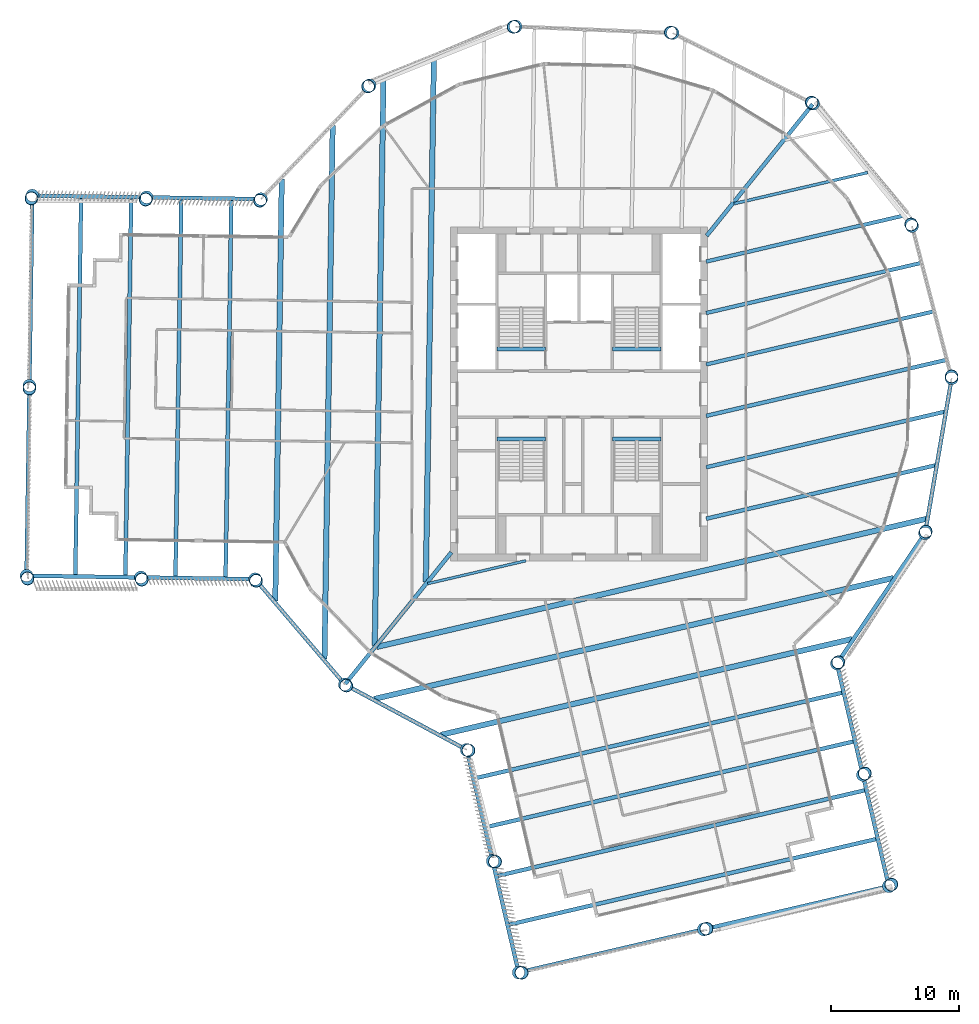
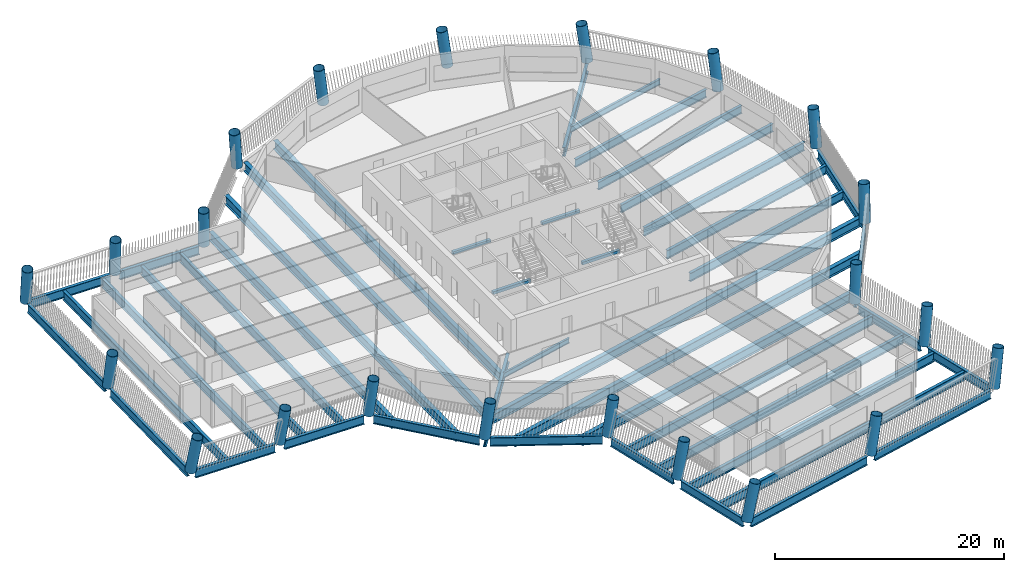
# One storey, part 1 of 15: 45 beams, 22 columns.
"""IFC4 building model written with IfcOpenShell, lengths in metres."""

from ifc_helpers import new_model, si_unit, direction, frame, origin, origin_2d, place, context, subcontext, project, spatial, rectangle, hollow_circle, i_section, extrude, material, material_profile, profile_set, type_object, element, save


model = new_model("IFC4")

# Units and contexts
model_context = context("Model", 3, precision=1e-05, world=origin(), true_north=direction((0.0, 1.0)))
body_context = subcontext(model_context, "Body", "Model", "MODEL_VIEW")
ifc_project = project(units=[si_unit("LENGTHUNIT", "METRE"), si_unit("AREAUNIT", "SQUARE_METRE"), si_unit("VOLUMEUNIT", "CUBIC_METRE"), si_unit("PLANEANGLEUNIT", "RADIAN"), si_unit("MASSUNIT", "GRAM", prefix="KILO")], contexts=[model_context])

# Site, building, storey
site_placement = place(None, origin())
site = spatial("IfcSite", under=ifc_project, at=site_placement, CompositionType="ELEMENT")
building_placement = place(site_placement, origin())
building = spatial("IfcBuilding", under=site, at=building_placement, Name="Tarsis Ring Headquarters", CompositionType="ELEMENT")
storey_placement = place(building_placement, frame((0.0, 0.0, 282.5)))
storey = spatial("IfcBuildingStorey", under=building, at=storey_placement, Name="L66", CompositionType="ELEMENT", Elevation=282.5)

# Columns
ifc_material_1 = material(Name="Structural steel S355", Category="steel")
ifc_material_profile_1 = material_profile(ifc_material_1, hollow_circle(Radius=0.508056640625, WallThickness=0.0400390625, at=origin_2d()), Name="CHS 1016x40")
ifc_profile_set_1 = profile_set([ifc_material_profile_1], Name="Structural steel S355")
column_type = type_object("IfcColumnType", Name="XC Exo column CHS 1016x40", PredefinedType="COLUMN", material=ifc_profile_set_1)
for number, where, z_axis, x_axis, name in (
    (1, (-18.2333984375, -22.61328125, 0.001220703125), (0.101059823827, -0.080065219983, 0.991653403441), (0.620986714474, 0.783821089565, 0.0), "Exo column XC6 F1"),
    (2, (-8.73974609375, -27.70263671875, 0.001220703125), (0.123296706213, -0.037703325275, 0.99165335753), (0.29242659882, 0.95628797143, 0.0), "Exo column XC6 AK"),
):
    element("IfcColumn", number, at=place(storey_placement, frame(where, z_axis=z_axis, x_axis=x_axis)), inside=storey, type_object=column_type, Name=name, PredefinedType="COLUMN", context=body_context, shape_type="SweptSolid", body=[
        extrude(hollow_circle(Radius=0.508056640625, WallThickness=0.0400390625, at=origin_2d()), origin(), (0.0, 0.0, 1.0), 3.930419921875),
    ])
column_1_placement = place(storey_placement, frame((-6.718994140625, -36.372314453125, 0.001220703125), z_axis=(0.160864640622, -0.028304266387, 0.986570542791), x_axis=(0.173288873055, 0.98487104053, 0.0)))
element("IfcColumn", 3, at=column_1_placement, inside=storey, type_object=column_type, Name="Exo column XC6 AI1", PredefinedType="COLUMN", context=body_context, shape_type="SweptSolid", body=[
    extrude(hollow_circle(Radius=0.508056640625, WallThickness=0.0400390625, at=origin_2d()), origin(), (0.0, 0.0, 1.0), 3.950439453125),
])
column_2_placement = place(storey_placement, frame((-4.6982421875, -45.042236328125, 0.00146484375), z_axis=(0.197769271299, -0.018911187693, 0.98006616221), x_axis=(0.095188283201, 0.99545928633, 0.0)))
element("IfcColumn", 4, at=column_2_placement, inside=storey, type_object=column_type, Name="Exo column XC6 AT1", PredefinedType="COLUMN", context=body_context, shape_type="SweptSolid", body=[
    extrude(hollow_circle(Radius=0.508056640625, WallThickness=0.0400390625, at=origin_2d()), origin(), (0.0, 0.0, 1.0), 3.976318359375),
])
column_3_placement = place(storey_placement, frame((9.715576171875, -41.6826171875, 0.00146484375), z_axis=(0.182807168942, 0.044301972951, 0.982150128125), x_axis=(-0.235525125345, 0.971868260276, 0.0)))
element("IfcColumn", 5, at=column_3_placement, inside=storey, type_object=column_type, Name="Exo column XC6 AT2", PredefinedType="COLUMN", context=body_context, shape_type="SweptSolid", body=[
    extrude(hollow_circle(Radius=0.508056640625, WallThickness=0.0400390625, at=origin_2d()), origin(), (0.0, 0.0, 1.0), 3.9677734375),
])
column_4_placement = place(storey_placement, frame((24.129150390625, -38.3232421875, 0.00146484375), z_axis=(0.167132240299, 0.107328124924, 0.980075246016), x_axis=(-0.540351312847, 0.841439515773, 0.0)))
element("IfcColumn", 6, at=column_4_placement, inside=storey, type_object=column_type, Name="Exo column XC6 AT3", PredefinedType="COLUMN", context=body_context, shape_type="SweptSolid", body=[
    extrude(hollow_circle(Radius=0.508056640625, WallThickness=0.0400390625, at=origin_2d()), origin(), (0.0, 0.0, 1.0), 3.976318359375),
])
column_5_placement = place(storey_placement, frame((22.1083984375, -29.6533203125, 0.001220703125), z_axis=(0.130027816038, 0.098756867885, 0.986579874162), x_axis=(-0.60483372339, 0.79635178599, 0.0)))
element("IfcColumn", 7, at=column_5_placement, inside=storey, type_object=column_type, Name="Exo column XC6 AO1", PredefinedType="COLUMN", context=body_context, shape_type="SweptSolid", body=[
    extrude(hollow_circle(Radius=0.508056640625, WallThickness=0.0400390625, at=origin_2d()), origin(), (0.0, 0.0, 1.0), 3.950439453125),
])
for number, where, z_axis, x_axis, name in (
    (8, (20.087646484375, -20.9833984375, 0.001220703125), (0.092302387582, 0.08994203043, 0.991660577218), (-0.69789008467, 0.716204879709, 0.0), "Exo column XC6 AJ"),
    (9, (26.950927734375, -10.838134765625, 0.001220703125), (0.04702072894, 0.120005347836, 0.991659098451), (-0.931079147432, 0.364817243585, 0.0), "Exo column XC6 R1"),
    (10, (29.022216796875, 1.234375, 0.001220703125), (-0.006584160258, 0.128701698629, 0.991661495473), (-0.998693977118, -0.051091487246, 0.0), "Exo column XC6 R2"),
    (11, (25.933349609375, 13.087158203125, 0.001220703125), (-0.059070641665, 0.114600771685, 0.991653831951), (-0.888867549633, -0.458164249161, 0.0), "Exo column XC6 R3"),
    (12, (18.2333984375, 22.61328125, 0.001220703125), (-0.101059823827, 0.080065219983, 0.991653403441), (-0.620986714474, -0.783821089565, 0.0), "Exo column XC6 R4"),
    (13, (7.29150390625, 28.118408203125, 0.001220703125), (-0.125097647138, 0.031305468797, 0.99165041537), (-0.242762287219, -0.970085806465, 0.0), "Exo column XC6 R5"),
    (14, (-4.947021484375, 28.624267578125, 0.001220703125), (-0.126837344867, -0.023106509447, 0.991654363762), (0.179224605318, -0.983808182955, 0.0), "Exo column XC6 R6"),
    (15, (-16.3056640625, 24.040283203125, 0.001220703125), (-0.10609086752, -0.073294627444, 0.991651463679), (0.568408156494, -0.822746721434, 0.0), "Exo column XC6 R7"),
    (16, (-24.765380859375, 15.18212890625, 0.001220703125), (-0.066400227462, -0.110501407535, 0.991655408257), (0.857152632164, -0.515062486669, 0.0), "Exo column XC6 BJ"),
):
    element("IfcColumn", number, at=place(storey_placement, frame(where, z_axis=z_axis, x_axis=x_axis)), inside=storey, type_object=column_type, Name=name, PredefinedType="COLUMN", context=body_context, shape_type="SweptSolid", body=[
        extrude(hollow_circle(Radius=0.508056640625, WallThickness=0.0400390625, at=origin_2d()), origin(), (0.0, 0.0, 1.0), 3.930419921875),
    ])
column_6_placement = place(storey_placement, frame((-33.66650390625, 15.318603515625, 0.001220703125), z_axis=(-0.06637345717, -0.149185778034, 0.986579022591), x_axis=(0.913655406118, -0.406489604876, 0.0)))
element("IfcColumn", 17, at=column_6_placement, inside=storey, type_object=column_type, Name="Exo column XC6 BO1", PredefinedType="COLUMN", context=body_context, shape_type="SweptSolid", body=[
    extrude(hollow_circle(Radius=0.508056640625, WallThickness=0.0400390625, at=origin_2d()), origin(), (0.0, 0.0, 1.0), 3.950439453125),
])
column_7_placement = place(storey_placement, frame((-42.56787109375, 15.455322265625, 0.00146484375), z_axis=(-0.066128663934, -0.187272446609, 0.980079604189), x_axis=(0.942938954176, -0.332965656934, 0.0)))
element("IfcColumn", 18, at=column_7_placement, inside=storey, type_object=column_type, Name="Exo column XC6 BT3", PredefinedType="COLUMN", context=body_context, shape_type="SweptSolid", body=[
    extrude(hollow_circle(Radius=0.508056640625, WallThickness=0.0400390625, at=origin_2d()), origin(), (0.0, 0.0, 1.0), 3.97607421875),
])
column_8_placement = place(storey_placement, frame((-42.794921875, 0.656982421875, 0.00146484375), z_axis=(-0.001230609409, -0.188098648212, 0.982149369567), x_axis=(0.999978599438, -0.006542221782, 0.0)))
element("IfcColumn", 19, at=column_8_placement, inside=storey, type_object=column_type, Name="Exo column XC6 BT2", PredefinedType="COLUMN", context=body_context, shape_type="SweptSolid", body=[
    extrude(hollow_circle(Radius=0.508056640625, WallThickness=0.0400390625, at=origin_2d()), origin(), (0.0, 0.0, 1.0), 3.9677734375),
])
column_9_placement = place(storey_placement, frame((-43.022216796875, -14.14111328125, 0.00146484375), z_axis=(0.063671771887, -0.188190916908, 0.980066367272), x_axis=(0.9472520604, 0.320489522556, 0.0)))
element("IfcColumn", 20, at=column_9_placement, inside=storey, type_object=column_type, Name="Exo column XC6 BT1", PredefinedType="COLUMN", context=body_context, shape_type="SweptSolid", body=[
    extrude(hollow_circle(Radius=0.508056640625, WallThickness=0.0400390625, at=origin_2d()), origin(), (0.0, 0.0, 1.0), 3.976318359375),
])
column_10_placement = place(storey_placement, frame((-34.12109375, -14.27783203125, 0.001220703125), z_axis=(0.064395242893, -0.150111367549, 0.986569728922), x_axis=(0.919007986267, 0.394238913829, 0.0)))
element("IfcColumn", 21, at=column_10_placement, inside=storey, type_object=column_type, Name="Exo column XC6 BI1", PredefinedType="COLUMN", context=body_context, shape_type="SweptSolid", body=[
    extrude(hollow_circle(Radius=0.508056640625, WallThickness=0.0400390625, at=origin_2d()), origin(), (0.0, 0.0, 1.0), 3.950439453125),
])
column_11_placement = place(storey_placement, frame((-25.2197265625, -14.41455078125, 0.001220703125), z_axis=(0.064909574504, -0.111371164676, 0.991656800923), x_axis=(0.863971081825, 0.503541428057, 0.0)))
element("IfcColumn", 22, at=column_11_placement, inside=storey, type_object=column_type, Name="Exo column XC6 BK", PredefinedType="COLUMN", context=body_context, shape_type="SweptSolid", body=[
    extrude(hollow_circle(Radius=0.508056640625, WallThickness=0.0400390625, at=origin_2d()), origin(), (0.0, 0.0, 1.0), 3.930419921875),
])

# Beams
ifc_material_profile_2 = material_profile(ifc_material_1, i_section(OverallWidth=0.209228515625, OverallDepth=0.533447265625, WebThickness=0.01025390625, FlangeThickness=0.015625, at=origin_2d()), Name="W21x62")
ifc_profile_set_2 = profile_set([ifc_material_profile_2], Name="Structural steel S355")
beam_type_1 = type_object("IfcBeamType", Name="FB Floor beam W21x62", PredefinedType="JOIST", material=ifc_profile_set_2)
beam_1_placement = place(storey_placement, frame((-11.781005859375, -14.759521484375, -0.4267578125), z_axis=(0.97389462593, 0.227000567365, 0.0), x_axis=(-0.227000567365, 0.97389462593, 0.0)))
element("IfcBeam", 23, at=beam_1_placement, inside=storey, type_object=beam_type_1, Name="Floor beam FB3", PredefinedType="JOIST", context=body_context, shape_type="SweptSolid", body=[
    extrude(i_section(OverallWidth=0.209228515625, OverallDepth=0.533447265625, WebThickness=0.01025390625, FlangeThickness=0.015625, at=origin_2d()), origin(), (0.0, 0.0, 1.0), 7.851318359375),
])
ifc_material_profile_3 = material_profile(ifc_material_1, i_section(OverallWidth=0.228271484375, OverallDepth=0.607177734375, WebThickness=0.01123046875, FlangeThickness=0.017333984375, at=origin_2d()), Name="W24x76")
ifc_profile_set_3 = profile_set([ifc_material_profile_3], Name="Structural steel S355")
beam_type_2 = type_object("IfcBeamType", Name="FB Floor beam W24x76", PredefinedType="JOIST", material=ifc_profile_set_3)
beam_2_placement = place(storey_placement, frame((12.076416015625, 14.828369140625, -0.463623046875), z_axis=(0.973897473287, 0.226988351078, 0.0), x_axis=(-0.226988351078, 0.973897473287, 0.0)))
element("IfcBeam", 24, at=beam_2_placement, inside=storey, type_object=beam_type_2, Name="Floor beam FB4", PredefinedType="JOIST", context=body_context, shape_type="SweptSolid", body=[
    extrude(i_section(OverallWidth=0.228271484375, OverallDepth=0.607177734375, WebThickness=0.01123046875, FlangeThickness=0.017333984375, at=origin_2d()), origin(), (0.0, 0.0, 1.0), 10.6845703125),
])
ifc_material_profile_4 = material_profile(ifc_material_1, i_section(OverallWidth=0.2919921875, OverallDepth=0.835693359375, WebThickness=0.013916015625, FlangeThickness=0.018798828125, at=origin_2d()), Name="W33x118")
ifc_profile_set_4 = profile_set([ifc_material_profile_4], Name="Structural steel S355")
beam_type_3 = type_object("IfcBeamType", Name="FB Floor beam W33x118", PredefinedType="JOIST", material=ifc_profile_set_4)
beam_3_placement = place(storey_placement, frame((9.902587890625, 10.317138671875, -0.577880859375), z_axis=(0.973895504406, 0.226996798433, 0.0), x_axis=(-0.226996798433, 0.973895504406, 0.0)))
element("IfcBeam", 25, at=beam_3_placement, inside=storey, type_object=beam_type_3, Name="Floor beam FB7", PredefinedType="JOIST", context=body_context, shape_type="SweptSolid", body=[
    extrude(i_section(OverallWidth=0.2919921875, OverallDepth=0.835693359375, WebThickness=0.013916015625, FlangeThickness=0.018798828125, at=origin_2d()), origin(), (0.0, 0.0, 1.0), 15.71337890625),
])
beam_4_placement = place(storey_placement, frame((9.902587890625, 6.3125, -0.577880859375), z_axis=(0.973895714404, 0.226995897462, 0.0), x_axis=(-0.226995897462, 0.973895714404, 0.0)))
element("IfcBeam", 26, at=beam_4_placement, inside=storey, type_object=beam_type_3, Name="Floor beam FB7", PredefinedType="JOIST", context=body_context, shape_type="SweptSolid", body=[
    extrude(i_section(OverallWidth=0.2919921875, OverallDepth=0.835693359375, WebThickness=0.013916015625, FlangeThickness=0.018798828125, at=origin_2d()), origin(), (0.0, 0.0, 1.0), 17.171875),
])
beam_5_placement = place(storey_placement, frame((9.902587890625, 2.30810546875, -0.577880859375), z_axis=(0.973896645224, 0.226991903868, 0.0), x_axis=(-0.226991903868, 0.973896645224, 0.0)))
element("IfcBeam", 27, at=beam_5_placement, inside=storey, type_object=beam_type_3, Name="Floor beam FB7", PredefinedType="JOIST", context=body_context, shape_type="SweptSolid", body=[
    extrude(i_section(OverallWidth=0.2919921875, OverallDepth=0.835693359375, WebThickness=0.013916015625, FlangeThickness=0.018798828125, at=origin_2d()), origin(), (0.0, 0.0, 1.0), 18.18212890625),
])
ifc_material_profile_5 = material_profile(ifc_material_1, i_section(OverallWidth=0.3046875, OverallDepth=0.904296875, WebThickness=0.01513671875, FlangeThickness=0.02001953125, at=origin_2d()), Name="W36x135")
ifc_profile_set_5 = profile_set([ifc_material_profile_5], Name="Structural steel S355")
beam_type_4 = type_object("IfcBeamType", Name="FB Floor beam W36x135", PredefinedType="JOIST", material=ifc_profile_set_5)
beam_6_placement = place(storey_placement, frame((9.902587890625, -1.696533203125, -0.612060546875), z_axis=(0.973897478037, 0.226988330696, 0.0), x_axis=(-0.226988330696, 0.973897478037, 0.0)))
element("IfcBeam", 28, at=beam_6_placement, inside=storey, type_object=beam_type_4, Name="Floor beam FB8", PredefinedType="JOIST", context=body_context, shape_type="SweptSolid", body=[
    extrude(i_section(OverallWidth=0.3046875, OverallDepth=0.904296875, WebThickness=0.01513671875, FlangeThickness=0.02001953125, at=origin_2d()), origin(), (0.0, 0.0, 1.0), 19.1923828125),
])
beam_7_placement = place(storey_placement, frame((9.902587890625, -5.700927734375, -0.612060546875), z_axis=(0.973899229274, 0.226980816856, 0.0), x_axis=(-0.226980816856, 0.973899229274, 0.0)))
element("IfcBeam", 29, at=beam_7_placement, inside=storey, type_object=beam_type_4, Name="Floor beam FB8", PredefinedType="JOIST", context=body_context, shape_type="SweptSolid", body=[
    extrude(i_section(OverallWidth=0.3046875, OverallDepth=0.904296875, WebThickness=0.01513671875, FlangeThickness=0.02001953125, at=origin_2d()), origin(), (0.0, 0.0, 1.0), 19.109130859375),
])
beam_8_placement = place(storey_placement, frame((9.902587890625, -9.70556640625, -0.612060546875), z_axis=(0.973895282841, 0.226997749019, 0.0), x_axis=(-0.226997749019, 0.973895282841, 0.0)))
element("IfcBeam", 30, at=beam_8_placement, inside=storey, type_object=beam_type_4, Name="Floor beam FB8", PredefinedType="JOIST", context=body_context, shape_type="SweptSolid", body=[
    extrude(i_section(OverallWidth=0.3046875, OverallDepth=0.904296875, WebThickness=0.01513671875, FlangeThickness=0.02001953125, at=origin_2d()), origin(), (0.0, 0.0, 1.0), 18.374267578125),
])
ifc_material_profile_6 = material_profile(ifc_material_1, i_section(OverallWidth=0.309814453125, OverallDepth=0.949951171875, WebThickness=0.0244140625, FlangeThickness=0.0439453125, at=origin_2d()), Name="W36x256")
ifc_profile_set_6 = profile_set([ifc_material_profile_6], Name="Structural steel S355")
beam_type_5 = type_object("IfcBeamType", Name="FB Floor beam W36x256", PredefinedType="JOIST", material=ifc_profile_set_6)
for number, where, z_axis, x_axis, name in (
    (31, (-8.163330078125, -29.934326171875, -0.635009765625), (0.973898152997, 0.226985434753, 0.0), (-0.226985434753, 0.973898152997, 0.0), "Floor beam FB11"),
    (32, (-7.278076171875, -33.732666015625, -0.635009765625), (0.973896322873, 0.226993286893, 0.0), (-0.226993286893, 0.973896322873, 0.0), "Floor beam FB11"),
    (33, (-6.392822265625, -37.53076171875, -0.635009765625), (0.973896322873, 0.226993286893, 0.0), (-0.226993286893, 0.973896322873, 0.0), "Floor beam FB11"),
    (34, (-5.507568359375, -41.328857421875, -0.635009765625), (0.973898152997, 0.226985434753, 0.0), (-0.226985434753, 0.973898152997, 0.0), "Floor beam FB11"),
):
    element("IfcBeam", number, at=place(storey_placement, frame(where, z_axis=z_axis, x_axis=x_axis)), inside=storey, type_object=beam_type_5, Name=name, PredefinedType="JOIST", context=body_context, shape_type="SweptSolid", body=[
        extrude(i_section(OverallWidth=0.309814453125, OverallDepth=0.949951171875, WebThickness=0.0244140625, FlangeThickness=0.0439453125, at=origin_2d()), origin(), (0.0, 0.0, 1.0), 29.490234375),
    ])
for number, where, z_axis, x_axis, name in (
    (35, (-27.0703125, 15.16259765625, -0.635009765625), (-0.015357073332, -0.999882073196, 0.0), (0.999882073196, -0.015357073332, 0.0), "Floor beam FB11"),
    (36, (-30.969970703125, 15.222412109375, -0.635009765625), (-0.015357073332, -0.999882073196, 0.0), (0.999882073196, -0.015357073332, 0.0), "Floor beam FB11"),
):
    element("IfcBeam", number, at=place(storey_placement, frame(where, z_axis=z_axis, x_axis=x_axis)), inside=storey, type_object=beam_type_5, Name=name, PredefinedType="JOIST", context=body_context, shape_type="SweptSolid", body=[
        extrude(i_section(OverallWidth=0.309814453125, OverallDepth=0.949951171875, WebThickness=0.0244140625, FlangeThickness=0.0439453125, at=origin_2d()), origin(), (0.0, 0.0, 1.0), 29.489990234375),
    ])
beam_9_placement = place(storey_placement, frame((-34.869384765625, 15.282470703125, -0.635009765625), z_axis=(-0.01535694621, -0.999882075148, 0.0), x_axis=(0.999882075148, -0.01535694621, 0.0)))
element("IfcBeam", 37, at=beam_9_placement, inside=storey, type_object=beam_type_5, Name="Floor beam FB11", PredefinedType="JOIST", context=body_context, shape_type="SweptSolid", body=[
    extrude(i_section(OverallWidth=0.309814453125, OverallDepth=0.949951171875, WebThickness=0.0244140625, FlangeThickness=0.0439453125, at=origin_2d()), origin(), (0.0, 0.0, 1.0), 29.490234375),
])
beam_10_placement = place(storey_placement, frame((-38.76904296875, 15.34228515625, -0.635009765625), z_axis=(-0.015357073332, -0.999882073196, 0.0), x_axis=(0.999882073196, -0.015357073332, 0.0)))
element("IfcBeam", 38, at=beam_10_placement, inside=storey, type_object=beam_type_5, Name="Floor beam FB11", PredefinedType="JOIST", context=body_context, shape_type="SweptSolid", body=[
    extrude(i_section(OverallWidth=0.309814453125, OverallDepth=0.949951171875, WebThickness=0.0244140625, FlangeThickness=0.0439453125, at=origin_2d()), origin(), (0.0, 0.0, 1.0), 29.489990234375),
])
beam_type_6 = type_object("IfcBeamType", Name="FB Floor beam W36x256 spine", PredefinedType="BEAM", material=ifc_profile_set_6)
beam_11_placement = place(storey_placement, frame((-9.937255859375, -12.32421875, -0.635009765625), z_axis=(-0.6276882638, -0.778464799132, 0.0), x_axis=(0.778464799132, -0.6276882638, 0.0)))
element("IfcBeam", 39, at=beam_11_placement, inside=storey, type_object=beam_type_6, Name="Floor beam SB11", PredefinedType="BEAM", context=body_context, shape_type="SweptSolid", body=[
    extrude(i_section(OverallWidth=0.309814453125, OverallDepth=0.949951171875, WebThickness=0.0244140625, FlangeThickness=0.0439453125, at=origin_2d()), origin(), (0.0, 0.0, 1.0), 13.159423828125),
])
beam_12_placement = place(storey_placement, frame((18.19677734375, 22.567626953125, -0.635009765625), z_axis=(-0.627692974311, -0.778461000951, 0.0), x_axis=(0.778461000951, -0.627692974311, 0.0)))
element("IfcBeam", 40, at=beam_12_placement, inside=storey, type_object=beam_type_6, Name="Floor beam SB11", PredefinedType="BEAM", context=body_context, shape_type="SweptSolid", body=[
    extrude(i_section(OverallWidth=0.309814453125, OverallDepth=0.949951171875, WebThickness=0.0244140625, FlangeThickness=0.0439453125, at=origin_2d()), origin(), (0.0, 0.0, 1.0), 13.158447265625),
])
ifc_material_profile_7 = material_profile(ifc_material_1, i_section(OverallWidth=0.42431640625, OverallDepth=0.947509765625, WebThickness=0.02392578125, FlangeThickness=0.042724609375, at=origin_2d()), Name="W36x302")
ifc_profile_set_7 = profile_set([ifc_material_profile_7], Name="Structural steel S355")
beam_type_7 = type_object("IfcBeamType", Name="FB Floor beam W36x302", PredefinedType="JOIST", material=ifc_profile_set_7)
beam_13_placement = place(storey_placement, frame((-15.757080078125, -19.690673828125, -0.6337890625), z_axis=(0.973896532218, 0.226992388714, 0.0), x_axis=(-0.226992388714, 0.973896532218, 0.0)))
element("IfcBeam", 41, at=beam_13_placement, inside=storey, type_object=beam_type_7, Name="Floor beam FB12", PredefinedType="JOIST", context=body_context, shape_type="SweptSolid", body=[
    extrude(i_section(OverallWidth=0.42431640625, OverallDepth=0.947509765625, WebThickness=0.02392578125, FlangeThickness=0.042724609375, at=origin_2d()), origin(), (0.0, 0.0, 1.0), 43.986572265625),
])
beam_14_placement = place(storey_placement, frame((-15.945068359375, -23.739013671875, -0.6337890625), z_axis=(0.9738965627, 0.226992257932, 0.0), x_axis=(-0.226992257932, 0.9738965627, 0.0)))
element("IfcBeam", 42, at=beam_14_placement, inside=storey, type_object=beam_type_7, Name="Floor beam FB12", PredefinedType="JOIST", context=body_context, shape_type="SweptSolid", body=[
    extrude(i_section(OverallWidth=0.42431640625, OverallDepth=0.947509765625, WebThickness=0.02392578125, FlangeThickness=0.042724609375, at=origin_2d()), origin(), (0.0, 0.0, 1.0), 41.523681640625),
])
beam_15_placement = place(storey_placement, frame((-10.73876953125, -26.530029296875, -0.6337890625), z_axis=(0.973897107761, 0.226989919369, 0.0), x_axis=(-0.226989919369, 0.973897107761, 0.0)))
element("IfcBeam", 43, at=beam_15_placement, inside=storey, type_object=beam_type_7, Name="Floor beam FB12", PredefinedType="JOIST", context=body_context, shape_type="SweptSolid", body=[
    extrude(i_section(OverallWidth=0.42431640625, OverallDepth=0.947509765625, WebThickness=0.02392578125, FlangeThickness=0.042724609375, at=origin_2d()), origin(), (0.0, 0.0, 1.0), 32.87548828125),
])
beam_16_placement = place(storey_placement, frame((-11.30224609375, 25.991943359375, -0.6337890625), z_axis=(-0.015355351555, -0.999882099639, 0.0), x_axis=(0.999882099639, -0.015355351555, 0.0)))
element("IfcBeam", 44, at=beam_16_placement, inside=storey, type_object=beam_type_7, Name="Floor beam FB12", PredefinedType="JOIST", context=body_context, shape_type="SweptSolid", body=[
    extrude(i_section(OverallWidth=0.42431640625, OverallDepth=0.947509765625, WebThickness=0.02392578125, FlangeThickness=0.042724609375, at=origin_2d()), origin(), (0.0, 0.0, 1.0), 40.638916015625),
])
beam_17_placement = place(storey_placement, frame((-15.22705078125, 24.407958984375, -0.6337890625), z_axis=(-0.015357781748, -0.999882062315, 0.0), x_axis=(0.999882062315, -0.015357781748, 0.0)))
element("IfcBeam", 45, at=beam_17_placement, inside=storey, type_object=beam_type_7, Name="Floor beam FB12", PredefinedType="JOIST", context=body_context, shape_type="SweptSolid", body=[
    extrude(i_section(OverallWidth=0.42431640625, OverallDepth=0.947509765625, WebThickness=0.02392578125, FlangeThickness=0.042724609375, at=origin_2d()), origin(), (0.0, 0.0, 1.0), 43.986572265625),
])
beam_18_placement = place(storey_placement, frame((-19.18115234375, 20.9033203125, -0.6337890625), z_axis=(-0.015357383308, -0.999882068435, 0.0), x_axis=(0.999882068435, -0.015357383308, 0.0)))
element("IfcBeam", 46, at=beam_18_placement, inside=storey, type_object=beam_type_7, Name="Floor beam FB12", PredefinedType="JOIST", context=body_context, shape_type="SweptSolid", body=[
    extrude(i_section(OverallWidth=0.42431640625, OverallDepth=0.947509765625, WebThickness=0.02392578125, FlangeThickness=0.042724609375, at=origin_2d()), origin(), (0.0, 0.0, 1.0), 41.523681640625),
])
beam_19_placement = place(storey_placement, frame((-23.1455078125, 16.75244140625, -0.6337890625), z_axis=(-0.015357437618, -0.999882067601, 0.0), x_axis=(0.999882067601, -0.015357437618, 0.0)))
element("IfcBeam", 47, at=beam_19_placement, inside=storey, type_object=beam_type_7, Name="Floor beam FB12", PredefinedType="JOIST", context=body_context, shape_type="SweptSolid", body=[
    extrude(i_section(OverallWidth=0.42431640625, OverallDepth=0.947509765625, WebThickness=0.02392578125, FlangeThickness=0.042724609375, at=origin_2d()), origin(), (0.0, 0.0, 1.0), 32.87548828125),
])
ifc_material_2 = material(Name="Concrete C40/50", Category="concrete")
ifc_material_profile_8 = material_profile(ifc_material_2, rectangle(XDim=0.300048828125, YDim=0.300048828125, at=origin_2d()), Name="Stair head beam 300x300 C40/50")
ifc_profile_set_8 = profile_set([ifc_material_profile_8], Name="Concrete C40/50")
beam_type_8 = type_object("IfcBeamType", Name="Stair head beam 300x300 C40/50", PredefinedType="BEAM", material=ifc_profile_set_8)
for number, where, z_axis, x_axis, name in (
    (48, (-6.39990234375, 3.510009765625, -0.31005859375), (1.0, 0.0, 0.0), (0.0, 1.0, 0.0), "Stair head beam L66 Firefighting stair"),
    (49, (2.60009765625, 3.510009765625, -0.31005859375), (1.0, 0.0, 0.0), (0.0, 1.0, 0.0), "Stair head beam L66 Exit stair B"),
    (50, (-6.39990234375, -3.510009765625, -0.31005859375), (1.0, 0.0, 0.0), (0.0, 1.0, 0.0), "Stair head beam L66 Exit stair C"),
    (51, (2.60009765625, -3.510009765625, -0.31005859375), (1.0, 0.0, 0.0), (0.0, 1.0, 0.0), "Stair head beam L66 Exit stair D"),
):
    element("IfcBeam", number, at=place(storey_placement, frame(where, z_axis=z_axis, x_axis=x_axis)), inside=storey, type_object=beam_type_8, Name=name, PredefinedType="BEAM", context=body_context, shape_type="SweptSolid", body=[
        extrude(rectangle(XDim=0.300048828125, YDim=0.300048828125, at=origin_2d()), origin(), (0.0, 0.0, 1.0), 3.7998046875),
    ])
ifc_material_profile_9 = material_profile(ifc_material_1, i_section(OverallWidth=0.309814453125, OverallDepth=0.93212890625, WebThickness=0.02099609375, FlangeThickness=0.034423828125, at=origin_2d()), Name="W36x210")
ifc_profile_set_9 = profile_set([ifc_material_profile_9], Name="Structural steel S355")
beam_type_9 = type_object("IfcBeamType", Name="XG Ring girder W36x210", PredefinedType="BEAM", material=ifc_profile_set_9)
beam_20_placement = place(storey_placement, frame((-17.83056640625, -22.8291015625, -0.466064453125), z_axis=(0.881339649309, -0.472483251085, 0.0), x_axis=(0.472483251085, 0.881339649309, 0.0)))
element("IfcBeam", 52, at=beam_20_placement, inside=storey, type_object=beam_type_9, Name="Ring girder XG3", PredefinedType="BEAM", context=body_context, shape_type="SweptSolid", body=[
    extrude(i_section(OverallWidth=0.309814453125, OverallDepth=0.93212890625, WebThickness=0.02099609375, FlangeThickness=0.034423828125, at=origin_2d()), origin(), (0.0, 0.0, 1.0), 9.857421875),
])
beam_21_placement = place(storey_placement, frame((-8.63623046875, -28.147705078125, -0.466064453125), z_axis=(0.22699289706, -0.973896413734, 0.0), x_axis=(0.973896413734, 0.22699289706, 0.0)))
element("IfcBeam", 53, at=beam_21_placement, inside=storey, type_object=beam_type_9, Name="Ring girder XG3", PredefinedType="BEAM", context=body_context, shape_type="SweptSolid", body=[
    extrude(i_section(OverallWidth=0.309814453125, OverallDepth=0.93212890625, WebThickness=0.02099609375, FlangeThickness=0.034423828125, at=origin_2d()), origin(), (0.0, 0.0, 1.0), 7.988037109375),
])
beam_22_placement = place(storey_placement, frame((-6.615478515625, -36.817626953125, -0.466064453125), z_axis=(0.226999653788, -0.973894838871, 0.0), x_axis=(0.973894838871, 0.226999653788, 0.0)))
element("IfcBeam", 54, at=beam_22_placement, inside=storey, type_object=beam_type_9, Name="Ring girder XG3", PredefinedType="BEAM", context=body_context, shape_type="SweptSolid", body=[
    extrude(i_section(OverallWidth=0.309814453125, OverallDepth=0.93212890625, WebThickness=0.02099609375, FlangeThickness=0.034423828125, at=origin_2d()), origin(), (0.0, 0.0, 1.0), 7.98779296875),
])
for number, where, z_axis, x_axis, name in (
    (55, (-4.253173828125, -44.9384765625, -0.466064453125), (0.973897853922, 0.226986717953, 0.0), (-0.226986717953, 0.973897853922, 0.0), "Ring girder XG3"),
    (56, (10.160400390625, -41.5791015625, -0.466064453125), (0.973893967031, 0.227003394204, 0.0), (-0.227003394204, 0.973893967031, 0.0), "Ring girder XG3"),
):
    element("IfcBeam", number, at=place(storey_placement, frame(where, z_axis=z_axis, x_axis=x_axis)), inside=storey, type_object=beam_type_9, Name=name, PredefinedType="BEAM", context=body_context, shape_type="SweptSolid", body=[
        extrude(i_section(OverallWidth=0.309814453125, OverallDepth=0.93212890625, WebThickness=0.02099609375, FlangeThickness=0.034423828125, at=origin_2d()), origin(), (0.0, 0.0, 1.0), 13.8857421875),
    ])
for number, where, z_axis, x_axis, name in (
    (57, (24.025146484375, -37.8779296875, -0.466064453125), (-0.226999653788, 0.973894838871, 0.0), (-0.973894838871, -0.226999653788, 0.0), "Ring girder XG3"),
    (58, (22.00439453125, -29.208251953125, -0.466064453125), (-0.226999653788, 0.973894838871, 0.0), (-0.973894838871, -0.226999653788, 0.0), "Ring girder XG3"),
):
    element("IfcBeam", number, at=place(storey_placement, frame(where, z_axis=z_axis, x_axis=x_axis)), inside=storey, type_object=beam_type_9, Name=name, PredefinedType="BEAM", context=body_context, shape_type="SweptSolid", body=[
        extrude(i_section(OverallWidth=0.309814453125, OverallDepth=0.93212890625, WebThickness=0.02099609375, FlangeThickness=0.034423828125, at=origin_2d()), origin(), (0.0, 0.0, 1.0), 7.98779296875),
    ])
for number, where, z_axis, x_axis, name in (
    (59, (20.343505859375, -20.60498046875, -0.466064453125), (0.560334141321, 0.828266653965, 0.0), (-0.828266653965, 0.560334141321, 0.0), "Ring girder XG3"),
    (60, (27.028076171875, -10.3876953125, -0.466064453125), (0.169130015438, 0.985593748904, 0.0), (-0.985593748904, 0.169130015438, 0.0), "Ring girder XG3"),
):
    element("IfcBeam", number, at=place(storey_placement, frame(where, z_axis=z_axis, x_axis=x_axis)), inside=storey, type_object=beam_type_9, Name=name, PredefinedType="BEAM", context=body_context, shape_type="SweptSolid", body=[
        extrude(i_section(OverallWidth=0.309814453125, OverallDepth=0.93212890625, WebThickness=0.02099609375, FlangeThickness=0.034423828125, at=origin_2d()), origin(), (0.0, 0.0, 1.0), 11.33447265625),
    ])
beam_23_placement = place(storey_placement, frame((-25.222412109375, 15.189208984375, -0.466064453125), z_axis=(-0.999882284555, 0.015343305828, 0.0), x_axis=(-0.015343305828, -0.999882284555, 0.0)))
element("IfcBeam", 61, at=beam_23_placement, inside=storey, type_object=beam_type_9, Name="Ring girder XG3", PredefinedType="BEAM", context=body_context, shape_type="SweptSolid", body=[
    extrude(i_section(OverallWidth=0.309814453125, OverallDepth=0.93212890625, WebThickness=0.02099609375, FlangeThickness=0.034423828125, at=origin_2d()), origin(), (0.0, 0.0, 1.0), 7.98779296875),
])
beam_24_placement = place(storey_placement, frame((-34.12353515625, 15.325927734375, -0.466064453125), z_axis=(-0.99988229175, 0.015342836939, 0.0), x_axis=(-0.015342836939, -0.99988229175, 0.0)))
element("IfcBeam", 62, at=beam_24_placement, inside=storey, type_object=beam_type_9, Name="Ring girder XG3", PredefinedType="BEAM", context=body_context, shape_type="SweptSolid", body=[
    extrude(i_section(OverallWidth=0.309814453125, OverallDepth=0.93212890625, WebThickness=0.02099609375, FlangeThickness=0.034423828125, at=origin_2d()), origin(), (0.0, 0.0, 1.0), 7.988037109375),
])
for number, where, z_axis, x_axis, name in (
    (63, (-42.57470703125, 14.99853515625, -0.466064453125), (-0.015349261542, -0.999882193146, 0.0), (0.999882193146, -0.015349261542, 0.0), "Ring girder XG3"),
    (64, (-42.802001953125, 0.2001953125, -0.466064453125), (-0.015349261542, -0.999882193146, 0.0), (0.999882193146, -0.015349261542, 0.0), "Ring girder XG3"),
):
    element("IfcBeam", number, at=place(storey_placement, frame(where, z_axis=z_axis, x_axis=x_axis)), inside=storey, type_object=beam_type_9, Name=name, PredefinedType="BEAM", context=body_context, shape_type="SweptSolid", body=[
        extrude(i_section(OverallWidth=0.309814453125, OverallDepth=0.93212890625, WebThickness=0.02099609375, FlangeThickness=0.034423828125, at=origin_2d()), origin(), (0.0, 0.0, 1.0), 13.8857421875),
    ])
beam_25_placement = place(storey_placement, frame((-42.565185546875, -14.14794921875, -0.466064453125), z_axis=(0.99988229175, -0.015342836939, 0.0), x_axis=(0.015342836939, 0.99988229175, 0.0)))
element("IfcBeam", 65, at=beam_25_placement, inside=storey, type_object=beam_type_9, Name="Ring girder XG3", PredefinedType="BEAM", context=body_context, shape_type="SweptSolid", body=[
    extrude(i_section(OverallWidth=0.309814453125, OverallDepth=0.93212890625, WebThickness=0.02099609375, FlangeThickness=0.034423828125, at=origin_2d()), origin(), (0.0, 0.0, 1.0), 7.988037109375),
])
beam_26_placement = place(storey_placement, frame((-33.663818359375, -14.28466796875, -0.466064453125), z_axis=(0.999882284555, -0.015343305828, 0.0), x_axis=(0.015343305828, 0.999882284555, 0.0)))
element("IfcBeam", 66, at=beam_26_placement, inside=storey, type_object=beam_type_9, Name="Ring girder XG3", PredefinedType="BEAM", context=body_context, shape_type="SweptSolid", body=[
    extrude(i_section(OverallWidth=0.309814453125, OverallDepth=0.93212890625, WebThickness=0.02099609375, FlangeThickness=0.034423828125, at=origin_2d()), origin(), (0.0, 0.0, 1.0), 7.98779296875),
])
beam_27_placement = place(storey_placement, frame((-24.92333984375, -14.762451171875, -0.466064453125), z_axis=(0.64859189975, -0.761136352817, 0.0), x_axis=(0.761136352817, 0.64859189975, 0.0)))
element("IfcBeam", 67, at=beam_27_placement, inside=storey, type_object=beam_type_9, Name="Ring girder XG3", PredefinedType="BEAM", context=body_context, shape_type="SweptSolid", body=[
    extrude(i_section(OverallWidth=0.309814453125, OverallDepth=0.93212890625, WebThickness=0.02099609375, FlangeThickness=0.034423828125, at=origin_2d()), origin(), (0.0, 0.0, 1.0), 9.857177734375),
])

save(model, "model.ifc")
